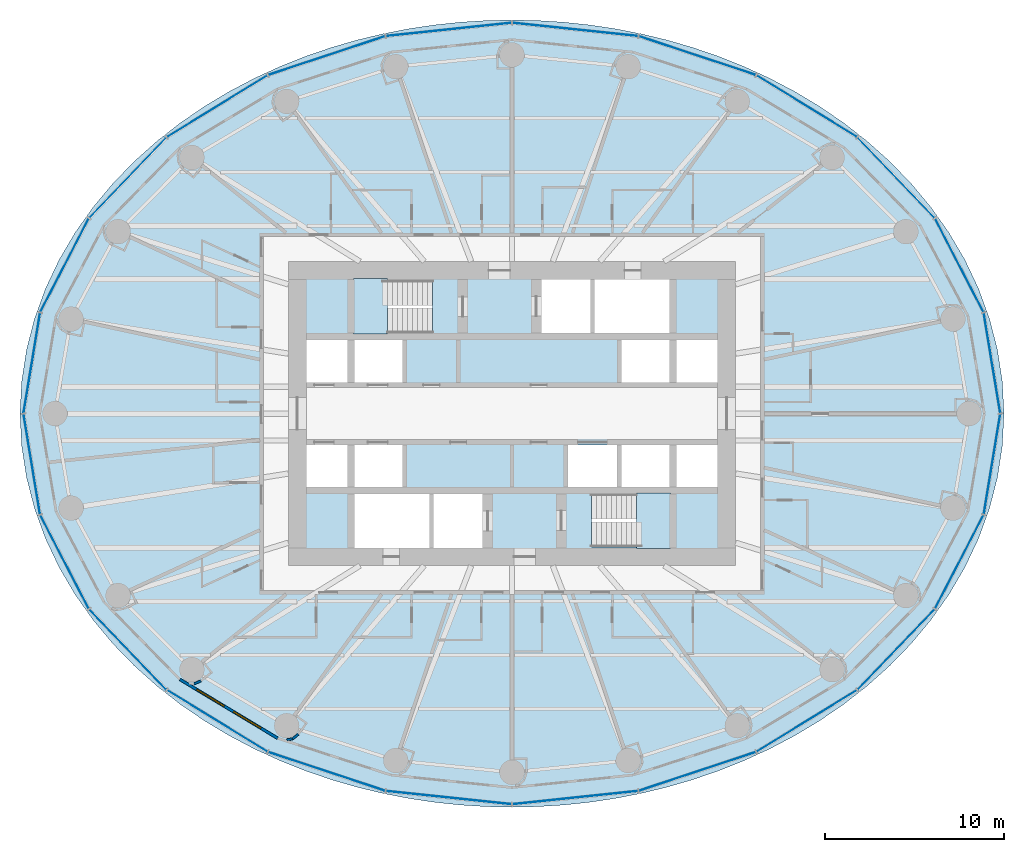
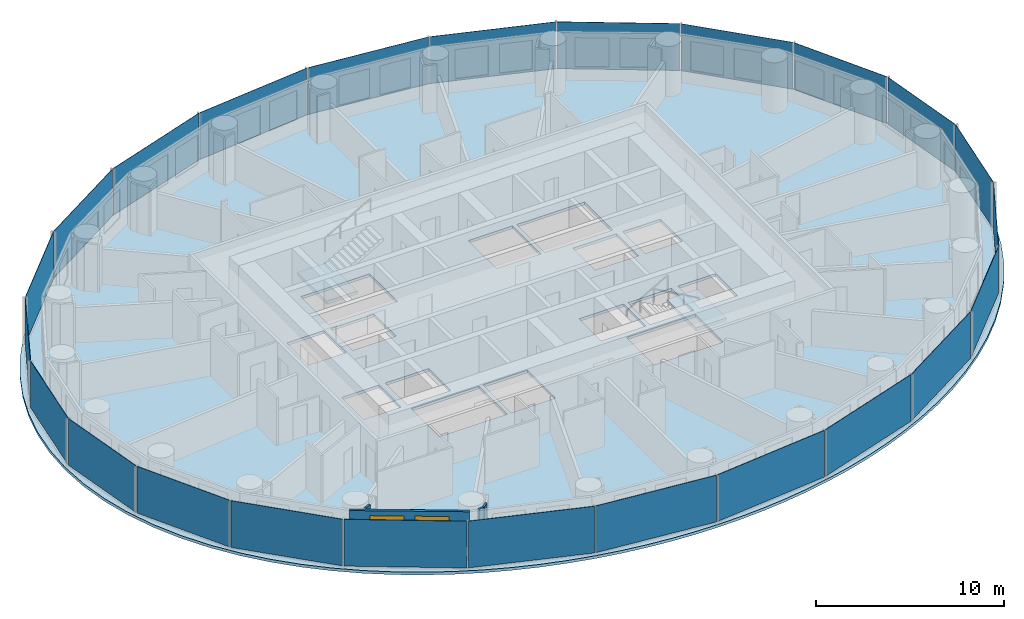
# One storey, part 5 of 14: 24 plates, 4 walls, 3 slabs, 2 windows, 2 openings, 6 elements without a shape of their own.
"""IFC4 building model written with IfcOpenShell, lengths in metres."""

from ifc_helpers import new_model, si_unit, direction, frame, frame_2d, origin, origin_2d, place, context, subcontext, project, spatial, polyline, rectangle, outline, extrude, material, layer, layer_set, type_object, element, fill, aggregate, save


model = new_model("IFC4")

# Units and contexts
model_context = context("Model", 3, precision=1e-05, world=origin(), true_north=direction((0.0, 1.0)))
body_context = subcontext(model_context, "Body", "Model", "MODEL_VIEW")
ifc_project = project(units=[si_unit("LENGTHUNIT", "METRE"), si_unit("AREAUNIT", "SQUARE_METRE"), si_unit("VOLUMEUNIT", "CUBIC_METRE"), si_unit("PLANEANGLEUNIT", "RADIAN"), si_unit("MASSUNIT", "GRAM", prefix="KILO")], contexts=[model_context])

# Site, building, storey
site_placement = place(None, origin())
site = spatial("IfcSite", under=ifc_project, at=site_placement, CompositionType="ELEMENT")
building_placement = place(site_placement, origin())
building = spatial("IfcBuilding", under=site, at=building_placement, Name="Hankou Lantern Tower", CompositionType="ELEMENT")
storey_placement = place(building_placement, frame((0.0, 0.0, 60.60009765625)))
storey = spatial("IfcBuildingStorey", under=building, at=storey_placement, Name="L14", CompositionType="ELEMENT", Elevation=60.60009765625)

# Curtain wall, plates
ifc_material_1 = material(Name="Glass, dark grey tinted laminated", Category="glass")
curtain_wall_type = type_object("IfcCurtainWallType", Name="CWA OUTER SKIN LOW-RISE", PredefinedType="USERDEFINED", material=ifc_material_1)
curtain_wall_1_placement = place(storey_placement, origin())
curtain_wall_1 = element("IfcCurtainWall", 1, at=curtain_wall_1_placement, inside=storey, type_object=curtain_wall_type, Name="CWA L14 OS1", ObjectType="OUTER SKIN LOW-RISE", PredefinedType="USERDEFINED")
ifc_material_2 = material(Name="Glass, dark grey tinted laminated", Category="glass")
ifc_layer_1 = layer(ifc_material_2, 0.02392578125)
ifc_layer_set_1 = layer_set([ifc_layer_1], Name="Glass, dark grey tinted laminated")
plate_type = type_object("IfcPlateType", Name="PN1 OUTER SKIN GLASS PANEL", PredefinedType="CURTAIN_PANEL", material=ifc_layer_set_1)
plate_1_placement = place(storey_placement, frame((26.8349609375, 2.826416015625, 0.079833984375), z_axis=(0.0, 0.0, 1.0), x_axis=(-0.162381515188, 0.986728049427, 0.0)))
plate_1 = element("IfcPlate", 2, at=plate_1_placement, type_object=plate_type, Name="CWA glass panel 1", PredefinedType="CURTAIN_PANEL", context=body_context, shape_type="SweptSolid", body=[
    extrude(rectangle(XDim=5.648681640625, YDim=0.02392578125, at=origin_2d()), origin(), (0.0, 0.0, 1.0), 3.0400390625),
])
plate_2_placement = place(storey_placement, frame((25.006103515625, 8.286376953125, 0.079833984375), z_axis=(0.0, 0.0, 1.0), x_axis=(-0.459791091957, 0.888027112062, 0.0)))
plate_2 = element("IfcPlate", 3, at=plate_2_placement, type_object=plate_type, Name="CWA glass panel 2", PredefinedType="CURTAIN_PANEL", context=body_context, shape_type="SweptSolid", body=[
    extrude(rectangle(XDim=5.8515625, YDim=0.02392578125, at=origin_2d()), origin(), (0.0, 0.0, 1.0), 3.0400390625),
])
plate_3_placement = place(storey_placement, frame((21.47314453125, 13.181640625, 0.079833984375), z_axis=(0.0, 0.0, 1.0), x_axis=(-0.692215809936, 0.721690565599, 0.0)))
plate_3 = element("IfcPlate", 4, at=plate_3_placement, type_object=plate_type, Name="CWA glass panel 3", PredefinedType="CURTAIN_PANEL", context=body_context, shape_type="SweptSolid", body=[
    extrude(rectangle(XDim=6.1875, YDim=0.02392578125, at=origin_2d()), origin(), (0.0, 0.0, 1.0), 3.0400390625),
])
plate_4_placement = place(storey_placement, frame((16.47705078125, 17.1787109375, 0.079833984375), z_axis=(0.0, 0.0, 1.0), x_axis=(-0.852237151549, 0.523155653242, 0.0)))
plate_4 = element("IfcPlate", 5, at=plate_4_placement, type_object=plate_type, Name="CWA glass panel 4", PredefinedType="CURTAIN_PANEL", context=body_context, shape_type="SweptSolid", body=[
    extrude(rectangle(XDim=6.554443359375, YDim=0.02392578125, at=origin_2d()), origin(), (0.0, 0.0, 1.0), 3.0400390625),
])
plate_5_placement = place(storey_placement, frame((10.35791015625, 20.0048828125, 0.079833984375), z_axis=(0.0, 0.0, 1.0), x_axis=(-0.949240677293, 0.31455068999, 0.0)))
plate_5 = element("IfcPlate", 6, at=plate_5_placement, type_object=plate_type, Name="CWA glass panel 5", PredefinedType="CURTAIN_PANEL", context=body_context, shape_type="SweptSolid", body=[
    extrude(rectangle(XDim=6.856201171875, YDim=0.02392578125, at=origin_2d()), origin(), (0.0, 0.0, 1.0), 3.0400390625),
])
plate_6_placement = place(storey_placement, frame((3.532958984375, 21.468017578125, 0.079833984375), z_axis=(0.0, 0.0, 1.0), x_axis=(-0.994499359107, 0.104742659579, 0.0)))
plate_6 = element("IfcPlate", 7, at=plate_6_placement, type_object=plate_type, Name="CWA glass panel 6", PredefinedType="CURTAIN_PANEL", context=body_context, shape_type="SweptSolid", body=[
    extrude(rectangle(XDim=7.02490234375, YDim=0.02392578125, at=origin_2d()), origin(), (0.0, 0.0, 1.0), 3.0400390625),
])
aggregate(curtain_wall_1, [plate_1, plate_2, plate_3, plate_4, plate_5, plate_6])

curtain_wall_2_placement = place(storey_placement, origin())
curtain_wall_2 = element("IfcCurtainWall", 8, at=curtain_wall_2_placement, inside=storey, type_object=curtain_wall_type, Name="CWA L14 OS2", ObjectType="OUTER SKIN LOW-RISE", PredefinedType="USERDEFINED")
plate_7_placement = place(storey_placement, frame((-3.532958984375, 21.468017578125, 0.079833984375), z_axis=(0.0, 0.0, 1.0), x_axis=(-0.994499359107, -0.104742659579, 0.0)))
plate_7 = element("IfcPlate", 9, at=plate_7_placement, type_object=plate_type, Name="CWA glass panel 1", PredefinedType="CURTAIN_PANEL", context=body_context, shape_type="SweptSolid", body=[
    extrude(rectangle(XDim=7.02490234375, YDim=0.02392578125, at=origin_2d()), origin(), (0.0, 0.0, 1.0), 3.0400390625),
])
plate_8_placement = place(storey_placement, frame((-10.35791015625, 20.0048828125, 0.079833984375), z_axis=(0.0, 0.0, 1.0), x_axis=(-0.949240677293, -0.31455068999, 0.0)))
plate_8 = element("IfcPlate", 10, at=plate_8_placement, type_object=plate_type, Name="CWA glass panel 2", PredefinedType="CURTAIN_PANEL", context=body_context, shape_type="SweptSolid", body=[
    extrude(rectangle(XDim=6.856201171875, YDim=0.02392578125, at=origin_2d()), origin(), (0.0, 0.0, 1.0), 3.0400390625),
])
plate_9_placement = place(storey_placement, frame((-16.47705078125, 17.1787109375, 0.079833984375), z_axis=(0.0, 0.0, 1.0), x_axis=(-0.852237151549, -0.523155653242, 0.0)))
plate_9 = element("IfcPlate", 11, at=plate_9_placement, type_object=plate_type, Name="CWA glass panel 3", PredefinedType="CURTAIN_PANEL", context=body_context, shape_type="SweptSolid", body=[
    extrude(rectangle(XDim=6.554443359375, YDim=0.02392578125, at=origin_2d()), origin(), (0.0, 0.0, 1.0), 3.0400390625),
])
plate_10_placement = place(storey_placement, frame((-21.47314453125, 13.181640625, 0.079833984375), z_axis=(0.0, 0.0, 1.0), x_axis=(-0.692215809936, -0.721690565599, 0.0)))
plate_10 = element("IfcPlate", 12, at=plate_10_placement, type_object=plate_type, Name="CWA glass panel 4", PredefinedType="CURTAIN_PANEL", context=body_context, shape_type="SweptSolid", body=[
    extrude(rectangle(XDim=6.1875, YDim=0.02392578125, at=origin_2d()), origin(), (0.0, 0.0, 1.0), 3.0400390625),
])
plate_11_placement = place(storey_placement, frame((-25.006103515625, 8.286376953125, 0.079833984375), z_axis=(0.0, 0.0, 1.0), x_axis=(-0.459791091957, -0.888027112062, 0.0)))
plate_11 = element("IfcPlate", 13, at=plate_11_placement, type_object=plate_type, Name="CWA glass panel 5", PredefinedType="CURTAIN_PANEL", context=body_context, shape_type="SweptSolid", body=[
    extrude(rectangle(XDim=5.8515625, YDim=0.02392578125, at=origin_2d()), origin(), (0.0, 0.0, 1.0), 3.0400390625),
])
plate_12_placement = place(storey_placement, frame((-26.8349609375, 2.826416015625, 0.079833984375), z_axis=(0.0, 0.0, 1.0), x_axis=(-0.162381515188, -0.986728049427, 0.0)))
plate_12 = element("IfcPlate", 14, at=plate_12_placement, type_object=plate_type, Name="CWA glass panel 6", PredefinedType="CURTAIN_PANEL", context=body_context, shape_type="SweptSolid", body=[
    extrude(rectangle(XDim=5.648681640625, YDim=0.02392578125, at=origin_2d()), origin(), (0.0, 0.0, 1.0), 3.0400390625),
])
aggregate(curtain_wall_2, [plate_7, plate_8, plate_9, plate_10, plate_11, plate_12])

curtain_wall_3_placement = place(storey_placement, origin())
curtain_wall_3 = element("IfcCurtainWall", 15, at=curtain_wall_3_placement, inside=storey, type_object=curtain_wall_type, Name="CWA L14 OS3", ObjectType="OUTER SKIN LOW-RISE", PredefinedType="USERDEFINED")
plate_13_placement = place(storey_placement, frame((-26.8349609375, -2.826416015625, 0.079833984375), z_axis=(0.0, 0.0, 1.0), x_axis=(0.162381515188, -0.986728049427, 0.0)))
plate_13 = element("IfcPlate", 16, at=plate_13_placement, type_object=plate_type, Name="CWA glass panel 1", PredefinedType="CURTAIN_PANEL", context=body_context, shape_type="SweptSolid", body=[
    extrude(rectangle(XDim=5.648681640625, YDim=0.02392578125, at=origin_2d()), origin(), (0.0, 0.0, 1.0), 3.0400390625),
])
plate_14_placement = place(storey_placement, frame((-25.006103515625, -8.286376953125, 0.079833984375), z_axis=(0.0, 0.0, 1.0), x_axis=(0.459791091957, -0.888027112062, 0.0)))
plate_14 = element("IfcPlate", 17, at=plate_14_placement, type_object=plate_type, Name="CWA glass panel 2", PredefinedType="CURTAIN_PANEL", context=body_context, shape_type="SweptSolid", body=[
    extrude(rectangle(XDim=5.8515625, YDim=0.02392578125, at=origin_2d()), origin(), (0.0, 0.0, 1.0), 3.0400390625),
])
plate_15_placement = place(storey_placement, frame((-21.47314453125, -13.181640625, 0.079833984375), z_axis=(0.0, 0.0, 1.0), x_axis=(0.692215809936, -0.721690565599, 0.0)))
plate_15 = element("IfcPlate", 18, at=plate_15_placement, type_object=plate_type, Name="CWA glass panel 3", PredefinedType="CURTAIN_PANEL", context=body_context, shape_type="SweptSolid", body=[
    extrude(rectangle(XDim=6.1875, YDim=0.02392578125, at=origin_2d()), origin(), (0.0, 0.0, 1.0), 3.0400390625),
])
plate_16_placement = place(storey_placement, frame((-16.47705078125, -17.1787109375, 0.079833984375), z_axis=(0.0, 0.0, 1.0), x_axis=(0.852237151549, -0.523155653242, 0.0)))
plate_16 = element("IfcPlate", 19, at=plate_16_placement, type_object=plate_type, Name="CWA glass panel 4", PredefinedType="CURTAIN_PANEL", context=body_context, shape_type="SweptSolid", body=[
    extrude(rectangle(XDim=6.554443359375, YDim=0.02392578125, at=origin_2d()), origin(), (0.0, 0.0, 1.0), 3.0400390625),
])
plate_17_placement = place(storey_placement, frame((-10.35791015625, -20.0048828125, 0.079833984375), z_axis=(0.0, 0.0, 1.0), x_axis=(0.949240677293, -0.31455068999, 0.0)))
plate_17 = element("IfcPlate", 20, at=plate_17_placement, type_object=plate_type, Name="CWA glass panel 5", PredefinedType="CURTAIN_PANEL", context=body_context, shape_type="SweptSolid", body=[
    extrude(rectangle(XDim=6.856201171875, YDim=0.02392578125, at=origin_2d()), origin(), (0.0, 0.0, 1.0), 3.0400390625),
])
plate_18_placement = place(storey_placement, frame((-3.532958984375, -21.468017578125, 0.079833984375), z_axis=(0.0, 0.0, 1.0), x_axis=(0.994499359107, -0.104742659579, 0.0)))
plate_18 = element("IfcPlate", 21, at=plate_18_placement, type_object=plate_type, Name="CWA glass panel 6", PredefinedType="CURTAIN_PANEL", context=body_context, shape_type="SweptSolid", body=[
    extrude(rectangle(XDim=7.02490234375, YDim=0.02392578125, at=origin_2d()), origin(), (0.0, 0.0, 1.0), 3.0400390625),
])
aggregate(curtain_wall_3, [plate_13, plate_14, plate_15, plate_16, plate_17, plate_18])

curtain_wall_4_placement = place(storey_placement, origin())
curtain_wall_4 = element("IfcCurtainWall", 22, at=curtain_wall_4_placement, inside=storey, type_object=curtain_wall_type, Name="CWA L14 OS4", ObjectType="OUTER SKIN LOW-RISE", PredefinedType="USERDEFINED")
plate_19_placement = place(storey_placement, frame((3.532958984375, -21.468017578125, 0.079833984375), z_axis=(0.0, 0.0, 1.0), x_axis=(0.994499359107, 0.104742659579, 0.0)))
plate_19 = element("IfcPlate", 23, at=plate_19_placement, type_object=plate_type, Name="CWA glass panel 1", PredefinedType="CURTAIN_PANEL", context=body_context, shape_type="SweptSolid", body=[
    extrude(rectangle(XDim=7.02490234375, YDim=0.02392578125, at=origin_2d()), origin(), (0.0, 0.0, 1.0), 3.0400390625),
])
plate_20_placement = place(storey_placement, frame((10.35791015625, -20.0048828125, 0.079833984375), z_axis=(0.0, 0.0, 1.0), x_axis=(0.949240677293, 0.31455068999, 0.0)))
plate_20 = element("IfcPlate", 24, at=plate_20_placement, type_object=plate_type, Name="CWA glass panel 2", PredefinedType="CURTAIN_PANEL", context=body_context, shape_type="SweptSolid", body=[
    extrude(rectangle(XDim=6.856201171875, YDim=0.02392578125, at=origin_2d()), origin(), (0.0, 0.0, 1.0), 3.0400390625),
])
plate_21_placement = place(storey_placement, frame((16.47705078125, -17.1787109375, 0.079833984375), z_axis=(0.0, 0.0, 1.0), x_axis=(0.852237151549, 0.523155653242, 0.0)))
plate_21 = element("IfcPlate", 25, at=plate_21_placement, type_object=plate_type, Name="CWA glass panel 3", PredefinedType="CURTAIN_PANEL", context=body_context, shape_type="SweptSolid", body=[
    extrude(rectangle(XDim=6.554443359375, YDim=0.02392578125, at=origin_2d()), origin(), (0.0, 0.0, 1.0), 3.0400390625),
])
plate_22_placement = place(storey_placement, frame((21.47314453125, -13.181640625, 0.079833984375), z_axis=(0.0, 0.0, 1.0), x_axis=(0.692215809936, 0.721690565599, 0.0)))
plate_22 = element("IfcPlate", 26, at=plate_22_placement, type_object=plate_type, Name="CWA glass panel 4", PredefinedType="CURTAIN_PANEL", context=body_context, shape_type="SweptSolid", body=[
    extrude(rectangle(XDim=6.1875, YDim=0.02392578125, at=origin_2d()), origin(), (0.0, 0.0, 1.0), 3.0400390625),
])
plate_23_placement = place(storey_placement, frame((25.006103515625, -8.286376953125, 0.079833984375), z_axis=(0.0, 0.0, 1.0), x_axis=(0.459791091957, 0.888027112062, 0.0)))
plate_23 = element("IfcPlate", 27, at=plate_23_placement, type_object=plate_type, Name="CWA glass panel 5", PredefinedType="CURTAIN_PANEL", context=body_context, shape_type="SweptSolid", body=[
    extrude(rectangle(XDim=5.8515625, YDim=0.02392578125, at=origin_2d()), origin(), (0.0, 0.0, 1.0), 3.0400390625),
])
plate_24_placement = place(storey_placement, frame((26.8349609375, -2.826416015625, 0.079833984375), z_axis=(0.0, 0.0, 1.0), x_axis=(0.162381515188, 0.986728049427, 0.0)))
plate_24 = element("IfcPlate", 28, at=plate_24_placement, type_object=plate_type, Name="CWA glass panel 6", PredefinedType="CURTAIN_PANEL", context=body_context, shape_type="SweptSolid", body=[
    extrude(rectangle(XDim=5.648681640625, YDim=0.02392578125, at=origin_2d()), origin(), (0.0, 0.0, 1.0), 3.0400390625),
])
aggregate(curtain_wall_4, [plate_19, plate_20, plate_21, plate_22, plate_23, plate_24])

# Slab
ifc_material_3 = material(Name="Concrete C50", Category="concrete")
ifc_layer_2 = layer(ifc_material_3, 0.179931640625)
ifc_layer_set_2 = layer_set([ifc_layer_2], Name="Concrete C50")
slab_type_1 = type_object("IfcSlabType", Name="S1 CONCRETE FLOOR SLAB 180", PredefinedType="FLOOR", material=ifc_layer_set_2)
slab_1_placement = place(storey_placement, frame((0.0, 0.0, -0.18017578125)))
element("IfcSlab", 29, at=slab_1_placement, inside=storey, type_object=slab_type_1, Name="Floor slab L14", PredefinedType="FLOOR", context=body_context, shape_type="SweptSolid", body=[
    extrude(outline(polyline([(27.5, 0.0), (27.408203125, 1.79638671875), (27.135009765625, 3.572509765625), (26.6875, 5.308349609375), (26.076171875, 6.987060546875), (25.3154296875, 8.593505859375), (24.420654296875, 10.115478515625), (23.40966796875, 11.54443359375), (22.29931640625, 12.87451171875), (21.1064453125, 14.102783203125), (19.846435546875, 15.228759765625), (18.533447265625, 16.25341796875), (17.17919921875, 17.17919921875), (15.794189453125, 18.009765625), (14.38671875, 18.749267578125), (12.964111328125, 19.402099609375), (11.53125, 19.972412109375), (10.09228515625, 20.46484375), (8.650146484375, 20.88330078125), (7.20703125, 21.23095703125), (5.763916015625, 21.51123046875), (4.32177734375, 21.7265625), (2.88037109375, 21.87890625), (1.43994140625, 21.9697265625), (0.0, 22.0), (-1.43994140625, 21.9697265625), (-2.88037109375, 21.87890625), (-4.32177734375, 21.7265625), (-5.763916015625, 21.51123046875), (-7.20703125, 21.23095703125), (-8.650146484375, 20.88330078125), (-10.09228515625, 20.46484375), (-11.53125, 19.972412109375), (-12.964111328125, 19.402099609375), (-14.38671875, 18.749267578125), (-15.794189453125, 18.009765625), (-17.17919921875, 17.17919921875), (-18.533447265625, 16.25341796875), (-19.846435546875, 15.228759765625), (-21.1064453125, 14.102783203125), (-22.29931640625, 12.87451171875), (-23.40966796875, 11.54443359375), (-24.420654296875, 10.115478515625), (-25.3154296875, 8.593505859375), (-26.076171875, 6.987060546875), (-26.6875, 5.308349609375), (-27.135009765625, 3.572509765625), (-27.408203125, 1.79638671875), (-27.5, 0.0), (-27.408203125, -1.79638671875), (-27.135009765625, -3.572509765625), (-26.6875, -5.308349609375), (-26.076171875, -6.987060546875), (-25.3154296875, -8.593505859375), (-24.420654296875, -10.115478515625), (-23.40966796875, -11.54443359375), (-22.29931640625, -12.87451171875), (-21.1064453125, -14.102783203125), (-19.846435546875, -15.228759765625), (-18.533447265625, -16.25341796875), (-17.17919921875, -17.17919921875), (-15.794189453125, -18.009765625), (-14.38671875, -18.749267578125), (-12.964111328125, -19.402099609375), (-11.53125, -19.972412109375), (-10.09228515625, -20.46484375), (-8.650146484375, -20.88330078125), (-7.20703125, -21.23095703125), (-5.763916015625, -21.51123046875), (-4.32177734375, -21.7265625), (-2.88037109375, -21.87890625), (-1.43994140625, -21.9697265625), (0.0, -22.0), (1.43994140625, -21.9697265625), (2.88037109375, -21.87890625), (4.32177734375, -21.7265625), (5.763916015625, -21.51123046875), (7.20703125, -21.23095703125), (8.650146484375, -20.88330078125), (10.09228515625, -20.46484375), (11.53125, -19.972412109375), (12.964111328125, -19.402099609375), (14.38671875, -18.749267578125), (15.794189453125, -18.009765625), (17.17919921875, -17.17919921875), (18.533447265625, -16.25341796875), (19.846435546875, -15.228759765625), (21.1064453125, -14.102783203125), (22.29931640625, -12.87451171875), (23.40966796875, -11.54443359375), (24.420654296875, -10.115478515625), (25.3154296875, -8.593505859375), (26.076171875, -6.987060546875), (26.6875, -5.308349609375), (27.135009765625, -3.572509765625), (27.408203125, -1.79638671875), (27.5, 0.0)]), holes=[polyline([(-11.5, 4.10009765625), (-9.199951171875, 4.10009765625), (-9.199951171875, 1.75), (-11.5, 1.75), (-11.5, 4.10009765625)]), polyline([(-8.800048828125, 4.10009765625), (-6.125, 4.10009765625), (-6.125, 1.75), (-8.800048828125, 1.75), (-8.800048828125, 4.10009765625)]), polyline([(6.125, 4.10009765625), (8.800048828125, 4.10009765625), (8.800048828125, 1.75), (6.125, 1.75), (6.125, 4.10009765625)]), polyline([(9.199951171875, 4.10009765625), (11.5, 4.10009765625), (11.5, 1.75), (9.199951171875, 1.75), (9.199951171875, 4.10009765625)]), polyline([(-11.5, -1.75), (-9.199951171875, -1.75), (-9.199951171875, -4.10009765625), (-11.5, -4.10009765625), (-11.5, -1.75)]), polyline([(-8.800048828125, -1.75), (-6.125, -1.75), (-6.125, -4.10009765625), (-8.800048828125, -4.10009765625), (-8.800048828125, -1.75)]), polyline([(3.125, -1.75), (5.875, -1.75), (5.875, -4.10009765625), (3.125, -4.10009765625), (3.125, -1.75)]), polyline([(6.125, -1.75), (8.800048828125, -1.75), (8.800048828125, -4.10009765625), (6.125, -4.10009765625), (6.125, -1.75)]), polyline([(9.199951171875, -1.75), (11.5, -1.75), (11.5, -4.10009765625), (9.199951171875, -4.10009765625), (9.199951171875, -1.75)]), polyline([(1.64990234375, 7.5), (4.375, 7.5), (4.375, 4.5), (1.64990234375, 4.5), (1.64990234375, 7.5)]), polyline([(-4.375, -4.5), (-1.64990234375, -4.5), (-1.64990234375, -7.5), (-4.375, -7.5), (-4.375, -4.5)]), polyline([(-8.699951171875, 7.449951171875), (-4.449951171875, 7.449951171875), (-4.449951171875, 4.5), (-8.699951171875, 4.5), (-8.699951171875, 7.449951171875)]), polyline([(4.449951171875, -4.5), (8.699951171875, -4.5), (8.699951171875, -7.449951171875), (4.449951171875, -7.449951171875), (4.449951171875, -4.5)]), polyline([(4.625, 7.5), (8.800048828125, 7.5), (8.800048828125, 4.5), (4.625, 4.5), (4.625, 7.5)]), polyline([(-8.800048828125, -4.5), (-4.625, -4.5), (-4.625, -7.5), (-8.800048828125, -7.5), (-8.800048828125, -4.5)])]), origin(), (0.0, 0.0, 1.0), 0.18017578125),
])

# Stair, slab
ifc_material_4 = material(Name="Concrete C40", Category="concrete")
stair_type = type_object("IfcStairType", Name="ST33 CORE STAIR 3300 RISE", PredefinedType="HALF_TURN_STAIR", material=ifc_material_4)
stair_1_placement = place(storey_placement, origin())
stair_1 = element("IfcStair", 30, at=stair_1_placement, inside=storey, type_object=stair_type, Name="Stair STA L14", PredefinedType="HALF_TURN_STAIR")
ifc_material_5 = material(Name="Concrete C40", Category="concrete")
ifc_layer_3 = layer(ifc_material_5, 0.199951171875)
ifc_layer_set_3 = layer_set([ifc_layer_3], Name="Concrete C40")
slab_type_2 = type_object("IfcSlabType", Name="SL1 STAIR LANDING 200", PredefinedType="LANDING", material=ifc_layer_set_3)
slab_2_placement = place(storey_placement, frame((0.0, 0.0, 1.371337890625)))
slab_2 = element("IfcSlab", 31, at=slab_2_placement, type_object=slab_type_2, Name="STA landing 1", PredefinedType="LANDING", context=body_context, shape_type="SweptSolid", body=[
    extrude(outline(polyline([(-8.85009765625, 4.449951171875), (-6.949951171875, 4.449951171875), (-6.949951171875, 7.550048828125), (-8.85009765625, 7.550048828125), (-8.85009765625, 4.449951171875)])), origin(), (0.0, 0.0, 1.0), 0.199951171875),
])
aggregate(stair_1, [slab_2])

stair_2_placement = place(storey_placement, origin())
stair_2 = element("IfcStair", 32, at=stair_2_placement, inside=storey, type_object=stair_type, Name="Stair STB L14", PredefinedType="HALF_TURN_STAIR")
slab_3_placement = place(storey_placement, frame((0.0, 0.0, 1.371337890625)))
slab_3 = element("IfcSlab", 33, at=slab_3_placement, type_object=slab_type_2, Name="STB landing 1", PredefinedType="LANDING", context=body_context, shape_type="SweptSolid", body=[
    extrude(outline(polyline([(8.85009765625, -4.449951171875), (6.949951171875, -4.449951171875), (6.949951171875, -7.550048828125), (8.85009765625, -7.550048828125), (8.85009765625, -4.449951171875)])), origin(), (0.0, 0.0, 1.0), 0.199951171875),
])
aggregate(stair_2, [slab_3])

# Wall, openings, windows
ifc_material_6 = material(Name="Aluminium spandrel panel on steel studs", Category="steel")
ifc_layer_4 = layer(ifc_material_6, 0.14990234375)
ifc_layer_set_4 = layer_set([ifc_layer_4], Name="Aluminium spandrel panel on steel studs")
wall_type_1 = type_object("IfcWallType", Name="EW1 INNER SKIN WALL 150", PredefinedType="ELEMENTEDWALL", material=ifc_layer_set_4)
wall_1_placement = place(storey_placement, frame((-18.569580078125, -14.855712890625, 0.0), z_axis=(0.0, 0.0, 1.0), x_axis=(0.856983180864, -0.515344377787, 0.0)))
wall_1 = element("IfcWall", 34, at=wall_1_placement, inside=storey, type_object=wall_type_1, Name="Inner skin R16-R17 L14", PredefinedType="ELEMENTEDWALL", context=body_context, shape_type="SweptSolid", body=[
    extrude(rectangle(XDim=6.386474609375, YDim=0.14990234375, at=frame_2d((3.193359375, 0.0))), origin(), (0.0, 0.0, 1.0), 3.119873046875),
])
opening_1_placement = place(wall_1_placement, frame((1.09326171875, 0.0, 0.89990234375)))
opening_1 = element("IfcOpeningElement", 35, at=opening_1_placement, cuts=wall_1, Name="Opening W1", PredefinedType="OPENING", context=body_context, shape_type="SweptSolid", body=[
    extrude(rectangle(XDim=1.800048828125, YDim=1.89990234375, at=frame_2d((0.89990234375, 0.949951171875))), frame((0.0, 0.0849609375, 0.0), z_axis=(0.0, -1.0, 0.0), x_axis=(1.0, 0.0, 0.0)), (0.0, 0.0, 1.0), 0.169921875),
])
opening_2_placement = place(wall_1_placement, frame((3.4931640625, 0.0, 0.89990234375)))
opening_2 = element("IfcOpeningElement", 36, at=opening_2_placement, cuts=wall_1, Name="Opening W1", PredefinedType="OPENING", context=body_context, shape_type="SweptSolid", body=[
    extrude(rectangle(XDim=1.800048828125, YDim=1.89990234375, at=frame_2d((0.89990234375, 0.949951171875))), frame((0.0, 0.0849609375, 0.0), z_axis=(0.0, -1.0, 0.0), x_axis=(1.0, 0.0, 0.0)), (0.0, 0.0, 1.0), 0.169921875),
])
ifc_material_7 = material(Name="Aluminium framed double glazed window", Category="aluminium")
window_type = type_object("IfcWindowType", Name="W1 GUEST ROOM WINDOW 1800X1900", PartitioningType="DOUBLE_PANEL_VERTICAL", PredefinedType="WINDOW", material=ifc_material_7)
window_1_placement = place(opening_1_placement, origin())
window_1 = element("IfcWindow", 37, at=window_1_placement, inside=storey, type_object=window_type, Name="Window R16.1 L14", OverallHeight=1.89990234375, OverallWidth=1.800048828125, PartitioningType="SINGLE_PANEL", PredefinedType="WINDOW", context=body_context, shape_type="SweptSolid", body=[
    extrude(rectangle(XDim=1.800048828125, YDim=1.89990234375, at=frame_2d((0.89990234375, 0.949951171875))), frame((0.0, 0.030029296875, 0.0), z_axis=(0.0, -1.0, 0.0), x_axis=(1.0, 0.0, 0.0)), (0.0, 0.0, 1.0), 0.06005859375),
])
fill(opening_1, window_1)
window_2_placement = place(opening_2_placement, origin())
window_2 = element("IfcWindow", 38, at=window_2_placement, inside=storey, type_object=window_type, Name="Window R16.2 L14", OverallHeight=1.89990234375, OverallWidth=1.800048828125, PartitioningType="SINGLE_PANEL", PredefinedType="WINDOW", context=body_context, shape_type="SweptSolid", body=[
    extrude(rectangle(XDim=1.800048828125, YDim=1.89990234375, at=frame_2d((0.89990234375, 0.949951171875))), frame((0.0, 0.030029296875, 0.0), z_axis=(0.0, -1.0, 0.0), x_axis=(1.0, 0.0, 0.0)), (0.0, 0.0, 1.0), 0.06005859375),
])
fill(opening_2, window_2)

# Walls
ifc_material_8 = material(Name="Masonry lightweight concrete block", Category="masonry")
ifc_layer_5 = layer(ifc_material_8, 0.1201171875)
ifc_layer_set_5 = layer_set([ifc_layer_5], Name="Masonry lightweight concrete block")
wall_type_2 = type_object("IfcWallType", Name="IW4 PARTITION 120", PredefinedType="PARTITIONING", material=ifc_layer_set_5)
wall_2_placement = place(storey_placement, frame((-17.38720703125, -14.94384765625, 0.0), z_axis=(0.0, 0.0, 1.0), x_axis=(-0.916036698064, -0.401094462441, 0.0)))
element("IfcWall", 39, at=wall_2_placement, inside=storey, type_object=wall_type_2, Name="Column casing R16", PredefinedType="PARTITIONING", context=body_context, shape_type="SweptSolid", body=[
    extrude(rectangle(XDim=0.418212890625, YDim=0.1201171875, at=frame_2d((0.208984375, 0.0))), origin(), (0.0, 0.0, 1.0), 3.119873046875),
])
wall_3_placement = place(storey_placement, frame((-11.93603515625, -17.9189453125, 0.0), z_axis=(0.0, 0.0, 1.0), x_axis=(-0.775023088441, -0.631932917629, 0.0)))
element("IfcWall", 40, at=wall_3_placement, inside=storey, type_object=wall_type_2, Name="Column casing R17", PredefinedType="PARTITIONING", context=body_context, shape_type="SweptSolid", body=[
    extrude(rectangle(XDim=0.41796875, YDim=0.1201171875, at=frame_2d((0.208984375, 0.0))), origin(), (0.0, 0.0, 1.0), 3.119873046875),
])
wall_4_placement = place(storey_placement, frame((-12.260009765625, -18.18310546875, 0.0), z_axis=(0.0, 0.0, 1.0), x_axis=(-0.987218661664, -0.159371622511, 0.0)))
element("IfcWall", 41, at=wall_4_placement, inside=storey, type_object=wall_type_2, Name="Column casing R17", PredefinedType="PARTITIONING", context=body_context, shape_type="SweptSolid", body=[
    extrude(rectangle(XDim=0.330810546875, YDim=0.1201171875, at=frame_2d((0.16552734375, 0.0))), origin(), (0.0, 0.0, 1.0), 3.119873046875),
])

save(model, "model.ifc")
